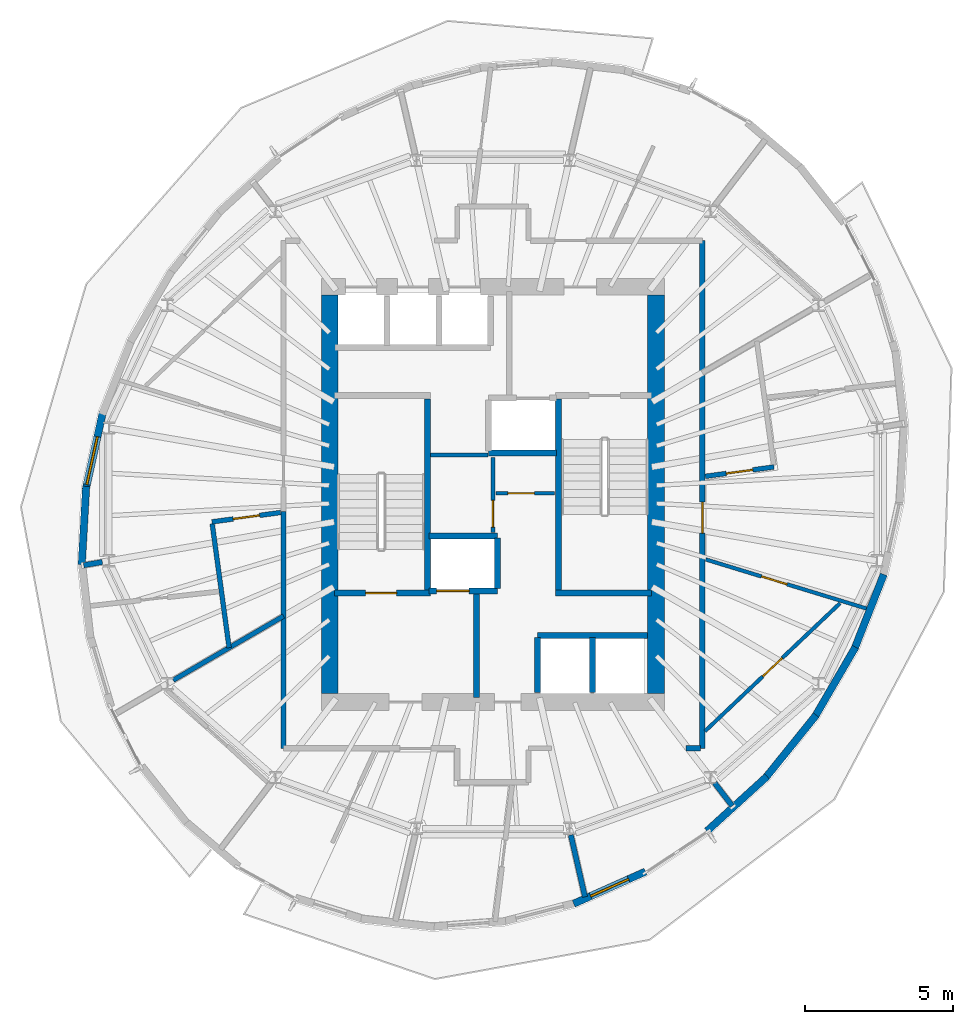
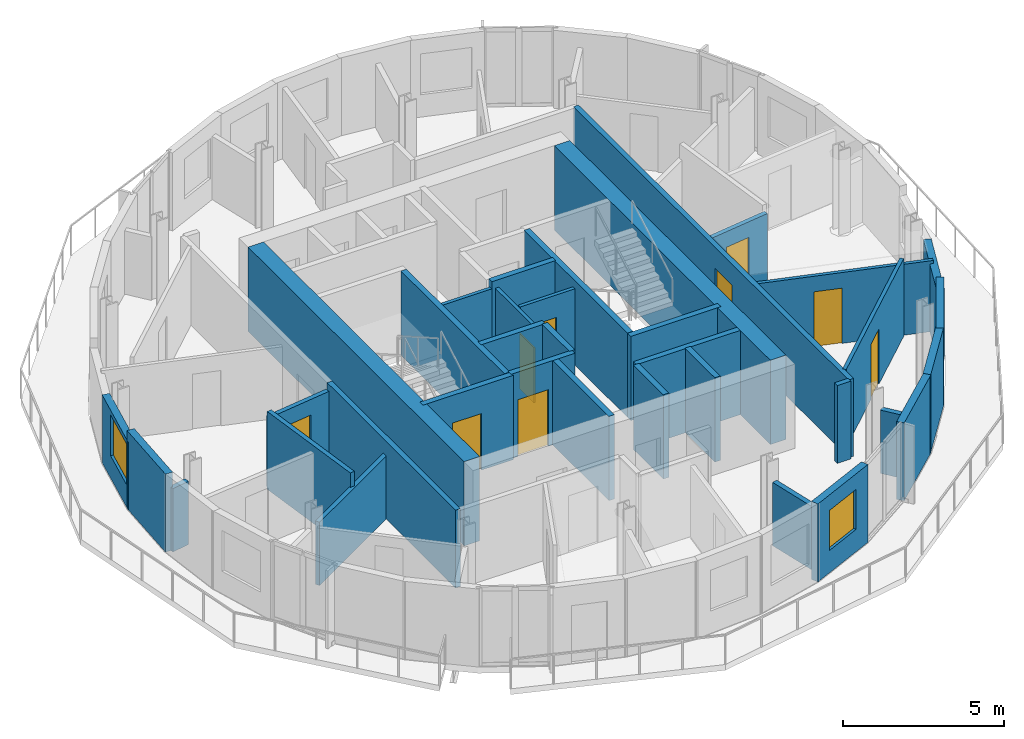
# One storey, part 5 of 11: 36 walls, 9 doors, 2 windows, 11 openings.
"""IFC4 building model written with IfcOpenShell, lengths in metres."""

from ifc_helpers import new_model, si_unit, direction, frame, frame_2d, origin, place, context, subcontext, project, spatial, rectangle, extrude, material, layer, layer_set, type_object, element, fill, save


model = new_model("IFC4")

# Units and contexts
model_context = context("Model", 3, precision=1e-05, world=origin(), true_north=direction((0.0, 1.0)))
body_context = subcontext(model_context, "Body", "Model", "MODEL_VIEW")
ifc_project = project(units=[si_unit("LENGTHUNIT", "METRE"), si_unit("AREAUNIT", "SQUARE_METRE"), si_unit("VOLUMEUNIT", "CUBIC_METRE"), si_unit("PLANEANGLEUNIT", "RADIAN"), si_unit("MASSUNIT", "GRAM", prefix="KILO")], contexts=[model_context])

# Site, building, storey
site_placement = place(None, origin())
site = spatial("IfcSite", under=ifc_project, at=site_placement, CompositionType="ELEMENT")
building_placement = place(site_placement, origin())
building = spatial("IfcBuilding", under=site, at=building_placement, Name="Veldorim Arch Residences", CompositionType="ELEMENT")
storey_placement = place(building_placement, frame((0.0, 0.0, 223.840087890625)))
storey = spatial("IfcBuildingStorey", under=building, at=storey_placement, Name="L67", CompositionType="ELEMENT", Elevation=223.840087890625)

# Wall, opening, door
ifc_material_1 = material(Name="Acoustic Gypsum Board", Category="gypsum")
ifc_layer_1 = layer(ifc_material_1, 0.125, Name="Acoustic Stud Room Partition Wall 125")
ifc_layer_set_1 = layer_set([ifc_layer_1], Name="Acoustic Gypsum Board")
wall_type_1 = type_object("IfcWallType", Name="Acoustic Stud Room Partition Wall 125", PredefinedType="PARTITIONING", material=ifc_layer_set_1)
wall_1_placement = place(storey_placement, frame((32.0, 22.719970703125, 0.0), z_axis=(0.0, 0.0, 1.0), x_axis=(0.0, 1.0, 0.0)))
wall_1 = element("IfcWall", 1, at=wall_1_placement, inside=storey, type_object=wall_type_1, Name="L67 interior wall WL-CA-L67-1", PredefinedType="PARTITIONING", context=body_context, shape_type="SweptSolid", body=[
    extrude(rectangle(XDim=2.52001953125, YDim=0.125, at=frame_2d((1.260009765625, 0.0))), origin(), (0.0, 0.0, 1.0), 2.954833984375),
])
opening_1_placement = place(wall_1_placement, frame((0.179931640625, 0.0, 0.0)))
opening_1 = element("IfcOpeningElement", 2, at=opening_1_placement, cuts=wall_1, Name="Opening DR-SVC", PredefinedType="OPENING", context=body_context, shape_type="SweptSolid", body=[
    extrude(rectangle(XDim=0.89990234375, YDim=2.10009765625, at=frame_2d((0.449951171875, 1.050048828125))), frame((0.0, 0.072509765625, 0.0), z_axis=(0.0, -1.0, 0.0), x_axis=(1.0, 0.0, 0.0)), (0.0, 0.0, 1.0), 0.14501953125),
])
ifc_material_2 = material(Name="Fire-Rated Steel", Category="steel")
door_type_1 = type_object("IfcDoorType", Name="Riser, Shelter & Plant Room Rated Steel Door 900x2100", OperationType="SINGLE_SWING_LEFT", PredefinedType="DOOR", material=ifc_material_2)
door_1_placement = place(opening_1_placement, origin())
door_1 = element("IfcDoor", 3, at=door_1_placement, inside=storey, type_object=door_type_1, Name="L67 interior door DR-L67-CA2", OperationType="SINGLE_SWING_RIGHT", OverallHeight=2.10009765625, OverallWidth=0.89990234375, PredefinedType="DOOR", context=body_context, shape_type="SweptSolid", body=[
    extrude(rectangle(XDim=0.89990234375, YDim=2.10009765625, at=frame_2d((0.449951171875, 1.050048828125))), frame((0.0, 0.02490234375, 0.0), z_axis=(0.0, -1.0, 0.0), x_axis=(1.0, 0.0, 0.0)), (0.0, 0.0, 1.0), 0.050048828125),
])
fill(opening_1, door_1)

wall_2_placement = place(storey_placement, frame((32.110107421875, 24.0400390625, 0.0), z_axis=(0.0, 0.0, 1.0), x_axis=(1.0, 0.0, 0.0)))
wall_2 = element("IfcWall", 4, at=wall_2_placement, inside=storey, type_object=wall_type_1, Name="L67 interior wall WL-CA-L67-3", PredefinedType="PARTITIONING", context=body_context, shape_type="SweptSolid", body=[
    extrude(rectangle(XDim=1.969970703125, YDim=0.125, at=frame_2d((0.98486328125, 0.0))), origin(), (0.0, 0.0, 1.0), 2.954833984375),
])
opening_2_placement = place(wall_2_placement, frame((0.389892578125, 0.0, 0.0)))
opening_2 = element("IfcOpeningElement", 5, at=opening_2_placement, cuts=wall_2, Name="Opening DR-INT", PredefinedType="OPENING", context=body_context, shape_type="SweptSolid", body=[
    extrude(rectangle(XDim=0.89990234375, YDim=2.10009765625, at=frame_2d((0.449951171875, 1.050048828125))), frame((0.0, 0.072509765625, 0.0), z_axis=(0.0, -1.0, 0.0), x_axis=(1.0, 0.0, 0.0)), (0.0, 0.0, 1.0), 0.14501953125),
])
ifc_material_3 = material(Name="Engineered Timber", Category="wood")
door_type_2 = type_object("IfcDoorType", Name="Apartment Internal Room Timber Door 900x2100", OperationType="SINGLE_SWING_LEFT", PredefinedType="DOOR", material=ifc_material_3)
door_2_placement = place(opening_2_placement, origin())
door_2 = element("IfcDoor", 6, at=door_2_placement, inside=storey, type_object=door_type_2, Name="L67 interior door DR-L67-CA1", OperationType="SINGLE_SWING_LEFT", OverallHeight=2.10009765625, OverallWidth=0.89990234375, PredefinedType="DOOR", context=body_context, shape_type="SweptSolid", body=[
    extrude(rectangle(XDim=0.89990234375, YDim=2.10009765625, at=frame_2d((0.449951171875, 1.050048828125))), frame((0.0, 0.02490234375, 0.0), z_axis=(0.0, -1.0, 0.0), x_axis=(1.0, 0.0, 0.0)), (0.0, 0.0, 1.0), 0.050048828125),
])
fill(opening_2, door_2)

# Wall
wall_3_placement = place(storey_placement, frame((29.889892578125, 25.330078125, 0.0), z_axis=(0.0, 0.0, 1.0), x_axis=(1.0, 0.0, 0.0)))
element("IfcWall", 7, at=wall_3_placement, inside=storey, type_object=wall_type_1, Name="L67 interior wall WL-CA-L67-N", PredefinedType="PARTITIONING", context=body_context, shape_type="SweptSolid", body=[
    extrude(rectangle(XDim=1.940185546875, YDim=0.125, at=frame_2d((0.97021484375, 0.0))), origin(), (0.0, 0.0, 1.0), 2.954833984375),
])

# Wall, opening, door
wall_4_placement = place(storey_placement, frame((44.7001953125, 20.120849609375, 0.0), z_axis=(0.0, 0.0, 1.0), x_axis=(-0.956379122361, 0.29212835246, 0.0)))
wall_4 = element("IfcWall", 8, at=wall_4_placement, inside=storey, type_object=wall_type_1, Name="L67 interior wall WL-RES-L67-021", PredefinedType="PARTITIONING", context=body_context, shape_type="SweptSolid", body=[
    extrude(rectangle(XDim=5.77734375, YDim=0.125, at=frame_2d((2.888671875, 0.0))), origin(), (0.0, 0.0, 1.0), 2.69189453125),
])
opening_3_placement = place(wall_4_placement, frame((2.91015625, 0.0, 0.0)))
opening_3 = element("IfcOpeningElement", 9, at=opening_3_placement, cuts=wall_4, Name="Opening DR-INT", PredefinedType="OPENING", context=body_context, shape_type="SweptSolid", body=[
    extrude(rectangle(XDim=0.89990234375, YDim=2.10009765625, at=frame_2d((0.449951171875, 1.050048828125))), frame((0.0, 0.072509765625, 0.0), z_axis=(0.0, -1.0, 0.0), x_axis=(1.0, 0.0, 0.0)), (0.0, 0.0, 1.0), 0.14501953125),
])
door_3_placement = place(opening_3_placement, origin())
door_3 = element("IfcDoor", 10, at=door_3_placement, inside=storey, type_object=door_type_2, Name="L67 interior door DR-RES-L67-007", OperationType="SINGLE_SWING_LEFT", OverallHeight=2.10009765625, OverallWidth=0.89990234375, PredefinedType="DOOR", context=body_context, shape_type="SweptSolid", body=[
    extrude(rectangle(XDim=0.89990234375, YDim=2.10009765625, at=frame_2d((0.449951171875, 1.050048828125))), frame((0.0, 0.02490234375, 0.0), z_axis=(0.0, -1.0, 0.0), x_axis=(1.0, 0.0, 0.0)), (0.0, 0.0, 1.0), 0.050048828125),
])
fill(opening_3, door_3)

wall_5_placement = place(storey_placement, frame((43.70654296875, 20.33349609375, 0.0), z_axis=(0.0, 0.0, 1.0), x_axis=(-0.725799476315, -0.687906330965, 0.0)))
wall_5 = element("IfcWall", 11, at=wall_5_placement, inside=storey, type_object=wall_type_1, Name="L67 interior wall WL-RES-L67-025", PredefinedType="PARTITIONING", context=body_context, shape_type="SweptSolid", body=[
    extrude(rectangle(XDim=6.28173828125, YDim=0.125, at=frame_2d((3.140869140625, 0.0))), origin(), (0.0, 0.0, 1.0), 2.954833984375),
])
opening_4_placement = place(wall_5_placement, frame((2.69091796875, 0.0, 0.0)))
opening_4 = element("IfcOpeningElement", 12, at=opening_4_placement, cuts=wall_5, Name="Opening DR-INT", PredefinedType="OPENING", context=body_context, shape_type="SweptSolid", body=[
    extrude(rectangle(XDim=0.89990234375, YDim=2.10009765625, at=frame_2d((0.449951171875, 1.050048828125))), frame((0.0, 0.072509765625, 0.0), z_axis=(0.0, -1.0, 0.0), x_axis=(1.0, 0.0, 0.0)), (0.0, 0.0, 1.0), 0.14501953125),
])
door_4_placement = place(opening_4_placement, origin())
door_4 = element("IfcDoor", 13, at=door_4_placement, inside=storey, type_object=door_type_2, Name="L67 interior door DR-RES-L67-008", OperationType="SINGLE_SWING_RIGHT", OverallHeight=2.10009765625, OverallWidth=0.89990234375, PredefinedType="DOOR", context=body_context, shape_type="SweptSolid", body=[
    extrude(rectangle(XDim=0.89990234375, YDim=2.10009765625, at=frame_2d((0.449951171875, 1.050048828125))), frame((0.0, 0.02490234375, 0.0), z_axis=(0.0, -1.0, 0.0), x_axis=(1.0, 0.0, 0.0)), (0.0, 0.0, 1.0), 0.050048828125),
])
fill(opening_4, door_4)

# Walls
ifc_material_4 = material(Name="Lightweight Masonry Block & Gypsum", Category="masonry")
ifc_layer_2 = layer(ifc_material_4, 0.179931640625, Name="Compartment & Corridor Fire-Rated Party Wall 180")
ifc_layer_set_2 = layer_set([ifc_layer_2], Name="Lightweight Masonry Block & Gypsum")
wall_type_2 = type_object("IfcWallType", Name="Compartment & Corridor Fire-Rated Party Wall 180", PredefinedType="PARTITIONING", material=ifc_layer_set_2)
wall_6_placement = place(storey_placement, frame((18.827392578125, 21.72119140625, 0.0), z_axis=(0.0, 0.0, 1.0), x_axis=(-0.985371537423, -0.170419873359, 0.0)))
element("IfcWall", 14, at=wall_6_placement, inside=storey, type_object=wall_type_2, Name="L67 interior wall WL-PIER-L67-09", PredefinedType="PARTITIONING", context=body_context, shape_type="SweptSolid", body=[
    extrude(rectangle(XDim=0.637451171875, YDim=0.179931640625, at=frame_2d((0.31884765625, 0.0))), origin(), (0.0, 0.0, 1.0), 2.4033203125),
])
wall_7_placement = place(storey_placement, frame((34.62646484375, 12.516845703125, 0.0), z_axis=(0.0, 0.0, 1.0), x_axis=(0.222945438732, -0.974830924493, 0.0)))
element("IfcWall", 15, at=wall_7_placement, inside=storey, type_object=wall_type_2, Name="L67 interior wall WL-PIER-L67-13", PredefinedType="PARTITIONING", context=body_context, shape_type="SweptSolid", body=[
    extrude(rectangle(XDim=2.14306640625, YDim=0.179931640625, at=frame_2d((1.071533203125, 0.0))), origin(), (0.0, 0.0, 1.0), 2.4033203125),
])
wall_8_placement = place(storey_placement, frame((39.473388671875, 14.272705078125, 0.0), z_axis=(0.0, 0.0, 1.0), x_axis=(0.60918017505, -0.793031849503, 0.0)))
element("IfcWall", 16, at=wall_8_placement, inside=storey, type_object=wall_type_2, Name="L67 interior wall WL-PIER-L67-14", PredefinedType="PARTITIONING", context=body_context, shape_type="SweptSolid", body=[
    extrude(rectangle(XDim=0.978759765625, YDim=0.179931640625, at=frame_2d((0.4892578125, 0.0))), origin(), (0.0, 0.0, 1.0), 2.4033203125),
])
wall_9_placement = place(storey_placement, frame((24.93994140625, 15.43994140625, 0.0), z_axis=(0.0, 0.0, 1.0), x_axis=(0.0, 1.0, 0.0)))
element("IfcWall", 17, at=wall_9_placement, inside=storey, type_object=wall_type_2, Name="L67 interior wall WL-RES-L67-006", PredefinedType="PARTITIONING", context=body_context, shape_type="SweptSolid", body=[
    extrude(rectangle(XDim=7.981689453125, YDim=0.179931640625, at=frame_2d((3.99072265625, 0.0))), origin(), (0.0, 0.0, 1.0), 2.954833984375),
])

# Wall, opening, door
wall_10_placement = place(storey_placement, frame((39.06005859375, 32.56005859375, 0.0), z_axis=(0.0, 0.0, 1.0), x_axis=(0.0, -1.0, 0.0)))
wall_10 = element("IfcWall", 18, at=wall_10_placement, inside=storey, type_object=wall_type_2, Name="L67 interior wall WL-RES-L67-007", PredefinedType="PARTITIONING", context=body_context, shape_type="SweptSolid", body=[
    extrude(rectangle(XDim=17.1201171875, YDim=0.179931640625, at=frame_2d((8.56005859375, 0.0))), origin(), (0.0, 0.0, 1.0), 2.954833984375),
])
opening_5_placement = place(wall_10_placement, frame((8.8154296875, 0.0, 0.0)))
opening_5 = element("IfcOpeningElement", 19, at=opening_5_placement, cuts=wall_10, Name="Opening DR-FLT", PredefinedType="OPENING", context=body_context, shape_type="SweptSolid", body=[
    extrude(rectangle(XDim=1.050048828125, YDim=2.14990234375, at=frame_2d((0.52490234375, 1.074951171875))), frame((0.0, 0.099853515625, 0.0), z_axis=(0.0, -1.0, 0.0), x_axis=(1.0, 0.0, 0.0)), (0.0, 0.0, 1.0), 0.199951171875),
])
ifc_material_5 = material(Name="Fire-Rated Timber", Category="wood")
door_type_3 = type_object("IfcDoorType", Name="Apartment Entrance Solid-Core Fire Door 1050x2150", OperationType="SINGLE_SWING_LEFT", PredefinedType="DOOR", material=ifc_material_5)
door_5_placement = place(opening_5_placement, origin())
door_5 = element("IfcDoor", 20, at=door_5_placement, inside=storey, type_object=door_type_3, Name="L67 interior door DR-RES-L67-005", OperationType="SINGLE_SWING_LEFT", OverallHeight=2.14990234375, OverallWidth=1.050048828125, PredefinedType="DOOR", context=body_context, shape_type="SweptSolid", body=[
    extrude(rectangle(XDim=1.050048828125, YDim=2.14990234375, at=frame_2d((0.52490234375, 1.074951171875))), frame((0.0, 0.02490234375, 0.0), z_axis=(0.0, -1.0, 0.0), x_axis=(1.0, 0.0, 0.0)), (0.0, 0.0, 1.0), 0.050048828125),
])
fill(opening_5, door_5)

# Walls
wall_11_placement = place(storey_placement, frame((39.0, 15.43994140625, 0.0), z_axis=(0.0, 0.0, 1.0), x_axis=(-1.0, 0.0, 0.0)))
element("IfcWall", 21, at=wall_11_placement, inside=storey, type_object=wall_type_2, Name="L67 interior wall WL-RES-L67-008", PredefinedType="PARTITIONING", context=body_context, shape_type="SweptSolid", body=[
    extrude(rectangle(XDim=0.485595703125, YDim=0.179931640625, at=frame_2d((0.24267578125, 0.0))), origin(), (0.0, 0.0, 1.0), 2.954833984375),
])
ifc_material_6 = material(Name="Concrete C50/60", Category="concrete")
ifc_layer_3 = layer(ifc_material_6, 0.199951171875, Name="Core Stair & Lift Shaft Enclosure Wall 200")
ifc_layer_set_3 = layer_set([ifc_layer_3], Name="Concrete C50/60")
wall_type_3 = type_object("IfcWallType", Name="Core Stair & Lift Shaft Enclosure Wall 200", PredefinedType="SHEAR", material=ifc_layer_set_3)
wall_12_placement = place(storey_placement, frame((29.7900390625, 20.780029296875, 0.0), z_axis=(0.0, 0.0, 1.0), x_axis=(0.0, 1.0, 0.0)))
element("IfcWall", 22, at=wall_12_placement, inside=storey, type_object=wall_type_3, Name="L67 shaft wall WL-SHF-L67-ST1-E", PredefinedType="SHEAR", context=body_context, shape_type="SweptSolid", body=[
    extrude(rectangle(XDim=6.43994140625, YDim=0.199951171875, at=frame_2d((3.219970703125, 0.0))), origin(), (0.0, 0.0, 1.0), 3.199951171875),
])

# Wall, opening, door
wall_13_placement = place(storey_placement, frame((26.64990234375, 20.669921875, 0.0), z_axis=(0.0, 0.0, 1.0), x_axis=(1.0, 0.0, 0.0)))
wall_13 = element("IfcWall", 23, at=wall_13_placement, inside=storey, type_object=wall_type_3, Name="L67 shaft wall WL-SHF-L67-ST1-S", PredefinedType="SHEAR", context=body_context, shape_type="SweptSolid", body=[
    extrude(rectangle(XDim=3.239990234375, YDim=0.199951171875, at=frame_2d((1.6201171875, 0.0))), origin(), (0.0, 0.0, 1.0), 3.199951171875),
])
opening_6_placement = place(wall_13_placement, frame((1.054931640625, 0.0, 0.0)))
opening_6 = element("IfcOpeningElement", 24, at=opening_6_placement, cuts=wall_13, Name="Opening DR-ST", PredefinedType="OPENING", context=body_context, shape_type="SweptSolid", body=[
    extrude(rectangle(XDim=1.050048828125, YDim=2.14990234375, at=frame_2d((0.52490234375, 1.074951171875))), frame((0.0, 0.10986328125, 0.0), z_axis=(0.0, -1.0, 0.0), x_axis=(1.0, 0.0, 0.0)), (0.0, 0.0, 1.0), 0.219970703125),
])
ifc_material_7 = material(Name="Fire-Rated Steel", Category="steel")
door_type_4 = type_object("IfcDoorType", Name="Exit Staircase Self-Closing Fire Door 1050x2150", OperationType="SINGLE_SWING_LEFT", PredefinedType="DOOR", material=ifc_material_7)
door_6_placement = place(opening_6_placement, origin())
door_6 = element("IfcDoor", 25, at=door_6_placement, inside=storey, type_object=door_type_4, Name="L67 interior door DR-L67-ST1", OperationType="SINGLE_SWING_LEFT", OverallHeight=2.14990234375, OverallWidth=1.050048828125, PredefinedType="DOOR", context=body_context, shape_type="SweptSolid", body=[
    extrude(rectangle(XDim=1.050048828125, YDim=2.14990234375, at=frame_2d((0.52490234375, 1.074951171875))), frame((0.0, 0.02490234375, 0.0), z_axis=(0.0, -1.0, 0.0), x_axis=(1.0, 0.0, 0.0)), (0.0, 0.0, 1.0), 0.050048828125),
])
fill(opening_6, door_6)

# Walls
wall_14_placement = place(storey_placement, frame((34.2099609375, 20.780029296875, 0.0), z_axis=(0.0, 0.0, 1.0), x_axis=(0.0, 1.0, 0.0)))
element("IfcWall", 26, at=wall_14_placement, inside=storey, type_object=wall_type_3, Name="L67 shaft wall WL-SHF-L67-ST2-W", PredefinedType="SHEAR", context=body_context, shape_type="SweptSolid", body=[
    extrude(rectangle(XDim=6.43994140625, YDim=0.199951171875, at=frame_2d((3.219970703125, 0.0))), origin(), (0.0, 0.0, 1.0), 3.199951171875),
])
wall_15_placement = place(storey_placement, frame((34.110107421875, 20.669921875, 0.0), z_axis=(0.0, 0.0, 1.0), x_axis=(1.0, 0.0, 0.0)))
element("IfcWall", 27, at=wall_15_placement, inside=storey, type_object=wall_type_3, Name="L67 shaft wall WL-SHF-L67-ST2-S", PredefinedType="SHEAR", context=body_context, shape_type="SweptSolid", body=[
    extrude(rectangle(XDim=3.239990234375, YDim=0.199951171875, at=frame_2d((1.6201171875, 0.0))), origin(), (0.0, 0.0, 1.0), 3.199951171875),
])
wall_16_placement = place(storey_placement, frame((31.449951171875, 17.14990234375, 0.0), z_axis=(0.0, 0.0, 1.0), x_axis=(0.0, 1.0, 0.0)))
element("IfcWall", 28, at=wall_16_placement, inside=storey, type_object=wall_type_3, Name="L67 shaft wall WL-FFL1-L67-E", PredefinedType="SHEAR", context=body_context, shape_type="SweptSolid", body=[
    extrude(rectangle(XDim=3.5, YDim=0.199951171875, at=frame_2d((1.75, 0.0))), origin(), (0.0, 0.0, 1.0), 3.199951171875),
])

# Wall, opening, door
wall_17_placement = place(storey_placement, frame((29.85009765625, 20.75, 0.0), z_axis=(0.0, 0.0, 1.0), x_axis=(1.0, 0.0, 0.0)))
wall_17 = element("IfcWall", 29, at=wall_17_placement, inside=storey, type_object=wall_type_3, Name="L67 shaft wall WL-FL01-L67-S", PredefinedType="SHEAR", context=body_context, shape_type="SweptSolid", body=[
    extrude(rectangle(XDim=2.2998046875, YDim=0.199951171875, at=frame_2d((1.14990234375, 0.0))), origin(), (0.0, 0.0, 1.0), 3.199951171875),
])
opening_7_placement = place(wall_17_placement, frame((0.25, 0.0, 0.0)))
opening_7 = element("IfcOpeningElement", 30, at=opening_7_placement, cuts=wall_17, Name="Opening LD-FF", PredefinedType="OPENING", context=body_context, shape_type="SweptSolid", body=[
    extrude(rectangle(XDim=1.10009765625, YDim=2.14990234375, at=frame_2d((0.550048828125, 1.074951171875))), frame((0.0, 0.10986328125, 0.0), z_axis=(0.0, -1.0, 0.0), x_axis=(1.0, 0.0, 0.0)), (0.0, 0.0, 1.0), 0.219970703125),
])
ifc_material_8 = material(Name="Stainless Steel", Category="steel")
door_type_5 = type_object("IfcDoorType", Name="Firefighting Lift Bi-Parting Sliding Landing Door 1100x2150", OperationType="DOUBLE_DOOR_SLIDING", PredefinedType="DOOR", material=ifc_material_8)
door_7_placement = place(opening_7_placement, origin())
door_7 = element("IfcDoor", 31, at=door_7_placement, inside=storey, type_object=door_type_5, Name="L67 lift landing door LD-L67-FL01", OperationType="DOUBLE_DOOR_SLIDING", OverallHeight=2.14990234375, OverallWidth=1.10009765625, PredefinedType="DOOR", context=body_context, shape_type="SweptSolid", body=[
    extrude(rectangle(XDim=1.10009765625, YDim=2.14990234375, at=frame_2d((0.550048828125, 1.074951171875))), frame((0.0, 0.02490234375, 0.0), z_axis=(0.0, -1.0, 0.0), x_axis=(1.0, 0.0, 0.0)), (0.0, 0.0, 1.0), 0.050048828125),
])
fill(opening_7, door_7)

# Walls
wall_18_placement = place(storey_placement, frame((29.85009765625, 22.60009765625, 0.0), z_axis=(0.0, 0.0, 1.0), x_axis=(1.0, 0.0, 0.0)))
element("IfcWall", 32, at=wall_18_placement, inside=storey, type_object=wall_type_3, Name="L67 shaft wall WL-FL01-L67-N", PredefinedType="SHEAR", context=body_context, shape_type="SweptSolid", body=[
    extrude(rectangle(XDim=2.2998046875, YDim=0.199951171875, at=frame_2d((1.14990234375, 0.0))), origin(), (0.0, 0.0, 1.0), 3.199951171875),
])
wall_19_placement = place(storey_placement, frame((32.14990234375, 20.820068359375, 0.0), z_axis=(0.0, 0.0, 1.0), x_axis=(0.0, 1.0, 0.0)))
element("IfcWall", 33, at=wall_19_placement, inside=storey, type_object=wall_type_3, Name="L67 shaft wall WL-FL01-L67-E", PredefinedType="SHEAR", context=body_context, shape_type="SweptSolid", body=[
    extrude(rectangle(XDim=1.7099609375, YDim=0.199951171875, at=frame_2d((0.85498046875, 0.0))), origin(), (0.0, 0.0, 1.0), 3.199951171875),
])
wall_20_placement = place(storey_placement, frame((31.85009765625, 25.39990234375, 0.0), z_axis=(0.0, 0.0, 1.0), x_axis=(1.0, 0.0, 0.0)))
element("IfcWall", 34, at=wall_20_placement, inside=storey, type_object=wall_type_3, Name="L67 shaft wall WL-FL02-L67-S", PredefinedType="SHEAR", context=body_context, shape_type="SweptSolid", body=[
    extrude(rectangle(XDim=2.2998046875, YDim=0.199951171875, at=frame_2d((1.14990234375, 0.0))), origin(), (0.0, 0.0, 1.0), 3.199951171875),
])
wall_21_placement = place(storey_placement, frame((33.5, 19.25, 0.0), z_axis=(0.0, 0.0, 1.0), x_axis=(1.0, 0.0, 0.0)))
element("IfcWall", 35, at=wall_21_placement, inside=storey, type_object=wall_type_3, Name="L67 shaft wall WL-OL-L67-N", PredefinedType="SHEAR", context=body_context, shape_type="SweptSolid", body=[
    extrude(rectangle(XDim=3.719970703125, YDim=0.199951171875, at=frame_2d((1.85986328125, 0.0))), origin(), (0.0, 0.0, 1.0), 3.199951171875),
])
for number, where, z_axis, x_axis, name in (
    (36, (33.5, 17.320068359375, 0.0), (0.0, 0.0, 1.0), (0.0, 1.0, 0.0), "L67 shaft wall WL-OL-L67-W"),
    (37, (35.35009765625, 17.320068359375, 0.0), (0.0, 0.0, 1.0), (0.0, 1.0, 0.0), "L67 shaft wall WL-OL-L67-D1"),
):
    element("IfcWall", number, at=place(storey_placement, frame(where, z_axis=z_axis, x_axis=x_axis)), inside=storey, type_object=wall_type_3, Name=name, PredefinedType="SHEAR", context=body_context, shape_type="SweptSolid", body=[
        extrude(rectangle(XDim=1.85986328125, YDim=0.199951171875, at=frame_2d((0.929931640625, 0.0))), origin(), (0.0, 0.0, 1.0), 3.199951171875),
    ])

# Wall, opening, window
ifc_material_9 = material(Name="Precast concrete C40/50", Category="concrete")
ifc_layer_4 = layer(ifc_material_9, 0.25, Name="Tower Terracotta Spandrel & Pier Wall 250")
ifc_layer_set_4 = layer_set([ifc_layer_4], Name="Precast concrete C40/50")
wall_type_4 = type_object("IfcWallType", Name="Tower Terracotta Spandrel & Pier Wall 250", PredefinedType="SOLIDWALL", material=ifc_layer_set_4)
wall_22_placement = place(storey_placement, frame((18.26708984375, 24.164306640625, 0.0), z_axis=(0.0, 0.0, 1.0), x_axis=(0.21633718885, 0.976318708579, 0.0)))
wall_22 = element("IfcWall", 38, at=wall_22_placement, inside=storey, type_object=wall_type_4, Name="L67 terracotta facade wall 12", PredefinedType="SOLIDWALL", context=body_context, shape_type="SweptSolid", body=[
    extrude(rectangle(XDim=2.70166015625, YDim=0.25, at=frame_2d((1.350830078125, 0.0))), origin(), (0.0, 0.0, 1.0), 2.576904296875),
])
opening_8_placement = place(wall_22_placement, frame((0.175048828125, 0.0, 0.85009765625)))
opening_8 = element("IfcOpeningElement", 39, at=opening_8_placement, cuts=wall_22, Name="Opening WN-03", PredefinedType="OPENING", context=body_context, shape_type="SweptSolid", body=[
    extrude(rectangle(XDim=1.64990234375, YDim=1.550048828125, at=frame_2d((0.824951171875, 0.77490234375))), frame((0.0, 0.135009765625, 0.0), z_axis=(0.0, -1.0, 0.0), x_axis=(1.0, 0.0, 0.0)), (0.0, 0.0, 1.0), 0.27001953125),
])
ifc_material_10 = material(Name="Laminated Low-E Glass", Category="glass")
window_type_1 = type_object("IfcWindowType", Name="Residential Wide Window 1650x1550", PartitioningType="SINGLE_PANEL", PredefinedType="WINDOW", material=ifc_material_10)
window_1_placement = place(opening_8_placement, origin())
window_1 = element("IfcWindow", 40, at=window_1_placement, inside=storey, type_object=window_type_1, Name="L67 solar-control facade window 12", OverallHeight=1.550048828125, OverallWidth=1.64990234375, PartitioningType="SINGLE_PANEL", PredefinedType="WINDOW", context=body_context, shape_type="SweptSolid", body=[
    extrude(rectangle(XDim=1.64990234375, YDim=1.550048828125, at=frame_2d((0.824951171875, 0.77490234375))), frame((0.0, 0.030029296875, 0.0), z_axis=(0.0, -1.0, 0.0), x_axis=(1.0, 0.0, 0.0)), (0.0, 0.0, 1.0), 0.06005859375),
])
fill(opening_8, window_1)

# Wall
wall_23_placement = place(storey_placement, frame((18.133056640625, 21.62646484375, 0.0), z_axis=(0.0, 0.0, 1.0), x_axis=(0.056270814174, 0.998415542483, 0.0)))
element("IfcWall", 41, at=wall_23_placement, inside=storey, type_object=wall_type_4, Name="L67 terracotta facade wall 13", PredefinedType="SOLIDWALL", context=body_context, shape_type="SweptSolid", body=[
    extrude(rectangle(XDim=2.65087890625, YDim=0.25, at=frame_2d((1.325439453125, 0.0))), origin(), (0.0, 0.0, 1.0), 2.9599609375),
])

# Wall, opening, window
wall_24_placement = place(storey_placement, frame((37.14453125, 11.280517578125, 0.0), z_axis=(0.0, 0.0, 1.0), x_axis=(-0.912779399898, -0.408452894617, 0.0)))
wall_24 = element("IfcWall", 42, at=wall_24_placement, inside=storey, type_object=wall_type_4, Name="L67 terracotta facade wall 24", PredefinedType="SOLIDWALL", context=body_context, shape_type="SweptSolid", body=[
    extrude(rectangle(XDim=2.65087890625, YDim=0.25, at=frame_2d((1.325439453125, 0.0))), origin(), (0.0, 0.0, 1.0), 2.9599609375),
])
opening_9_placement = place(wall_24_placement, frame((0.625, 0.0, 0.85009765625)))
opening_9 = element("IfcOpeningElement", 43, at=opening_9_placement, cuts=wall_24, Name="Opening WN-02", PredefinedType="OPENING", context=body_context, shape_type="SweptSolid", body=[
    extrude(rectangle(XDim=1.39990234375, YDim=1.52001953125, at=frame_2d((0.699951171875, 0.760009765625))), frame((0.0, 0.135009765625, 0.0), z_axis=(0.0, -1.0, 0.0), x_axis=(1.0, 0.0, 0.0)), (0.0, 0.0, 1.0), 0.27001953125),
])
ifc_material_11 = material(Name="Laminated Low-E Glass", Category="glass")
window_type_2 = type_object("IfcWindowType", Name="Residential Casement Window 1400x1550", PartitioningType="SINGLE_PANEL", PredefinedType="WINDOW", material=ifc_material_11)
window_2_placement = place(opening_9_placement, origin())
window_2 = element("IfcWindow", 44, at=window_2_placement, inside=storey, type_object=window_type_2, Name="L67 solar-control facade window 24", OverallHeight=1.52001953125, OverallWidth=1.39990234375, PartitioningType="SINGLE_PANEL", PredefinedType="WINDOW", context=body_context, shape_type="SweptSolid", body=[
    extrude(rectangle(XDim=1.39990234375, YDim=1.52001953125, at=frame_2d((0.699951171875, 0.760009765625))), frame((0.0, 0.030029296875, 0.0), z_axis=(0.0, -1.0, 0.0), x_axis=(1.0, 0.0, 0.0)), (0.0, 0.0, 1.0), 0.06005859375),
])
fill(opening_9, window_2)

# Walls
wall_25_placement = place(storey_placement, frame((41.242919921875, 14.490478515625, 0.0), z_axis=(0.0, 0.0, 1.0), x_axis=(-0.739366950434, -0.673302690182, 0.0)))
element("IfcWall", 45, at=wall_25_placement, inside=storey, type_object=wall_type_4, Name="L67 terracotta facade wall 26", PredefinedType="SOLIDWALL", context=body_context, shape_type="SweptSolid", body=[
    extrude(rectangle(XDim=2.73828125, YDim=0.25, at=frame_2d((1.369140625, 0.0))), origin(), (0.0, 0.0, 1.0), 2.9599609375),
])
wall_26_placement = place(storey_placement, frame((42.900390625, 16.5576171875, 0.0), z_axis=(0.0, 0.0, 1.0), x_axis=(-0.628046541479, -0.778175778174, 0.0)))
element("IfcWall", 46, at=wall_26_placement, inside=storey, type_object=wall_type_4, Name="L67 terracotta facade wall 27", PredefinedType="SOLIDWALL", context=body_context, shape_type="SweptSolid", body=[
    extrude(rectangle(XDim=2.758056640625, YDim=0.25, at=frame_2d((1.37890625, 0.0))), origin(), (0.0, 0.0, 1.0), 2.9599609375),
])
wall_27_placement = place(storey_placement, frame((44.2265625, 18.851318359375, 0.0), z_axis=(0.0, 0.0, 1.0), x_axis=(-0.503177339128, -0.864183178144, 0.0)))
element("IfcWall", 47, at=wall_27_placement, inside=storey, type_object=wall_type_4, Name="L67 terracotta facade wall 28", PredefinedType="SOLIDWALL", context=body_context, shape_type="SweptSolid", body=[
    extrude(rectangle(XDim=2.7578125, YDim=0.25, at=frame_2d((1.37890625, 0.0))), origin(), (0.0, 0.0, 1.0), 2.9599609375),
])
wall_28_placement = place(storey_placement, frame((45.180419921875, 21.302490234375, 0.0), z_axis=(0.0, 0.0, 1.0), x_axis=(-0.365588934877, -0.930776412838, 0.0)))
element("IfcWall", 48, at=wall_28_placement, inside=storey, type_object=wall_type_4, Name="L67 terracotta facade wall 29", PredefinedType="SOLIDWALL", context=body_context, shape_type="SweptSolid", body=[
    extrude(rectangle(XDim=2.73876953125, YDim=0.25, at=frame_2d((1.369384765625, 0.0))), origin(), (0.0, 0.0, 1.0), 2.576904296875),
])
ifc_material_12 = material(Name="Concrete C50/60", Category="concrete")
ifc_layer_5 = layer(ifc_material_12, 0.5, Name="Upper Central Core Shear Wall 560")
ifc_layer_set_5 = layer_set([ifc_layer_5], Name="Concrete C50/60")
wall_type_5 = type_object("IfcWallType", Name="Upper Central Core Shear Wall 560", PredefinedType="SHEAR", material=ifc_layer_set_5)
for number, where, z_axis, x_axis, name in (
    (49, (26.5, 17.280029296875, 0.0), (0.0, 0.0, 1.0), (0.0, 1.0, 0.0), "L67 central core west shear wall"),
    (50, (37.5, 17.280029296875, 0.0), (0.0, 0.0, 1.0), (0.0, 1.0, 0.0), "L67 central core east shear wall"),
):
    element("IfcWall", number, at=place(storey_placement, frame(where, z_axis=z_axis, x_axis=x_axis)), inside=storey, type_object=wall_type_5, Name=name, PredefinedType="SHEAR", context=body_context, shape_type="SweptSolid", body=[
        extrude(rectangle(XDim=13.43994140625, YDim=0.56005859375, at=frame_2d((6.719970703125, 0.0))), origin(), (0.0, 0.0, 1.0), 3.199951171875),
    ])
ifc_material_13 = material(Name="Moisture-Resistant Gypsum & Stud", Category="gypsum")
ifc_layer_6 = layer(ifc_material_13, 0.159912109375, Name="Wet-Area Moisture-Resistant Plumbing Wall 160")
ifc_layer_set_6 = layer_set([ifc_layer_6], Name="Moisture-Resistant Gypsum & Stud")
wall_type_6 = type_object("IfcWallType", Name="Wet-Area Moisture-Resistant Plumbing Wall 160", PredefinedType="PLUMBINGWALL", material=ifc_layer_set_6)
wall_29_placement = place(storey_placement, frame((21.217529296875, 17.734375, 0.0), z_axis=(0.0, 0.0, 1.0), x_axis=(0.864618907014, 0.502428249239, 0.0)))
element("IfcWall", 51, at=wall_29_placement, inside=storey, type_object=wall_type_6, Name="L67 interior wall WL-RES-L67-019", PredefinedType="PLUMBINGWALL", context=body_context, shape_type="SweptSolid", body=[
    extrude(rectangle(XDim=4.30517578125, YDim=0.159912109375, at=frame_2d((2.152587890625, 0.0))), origin(), (0.0, 0.0, 1.0), 2.4033203125),
])

# Wall, opening, door
wall_30_placement = place(storey_placement, frame((39.1591796875, 24.60986328125, 0.0), z_axis=(0.0, 0.0, 1.0), x_axis=(0.990823810893, 0.135159815654, 0.0)))
wall_30 = element("IfcWall", 52, at=wall_30_placement, inside=storey, type_object=wall_type_6, Name="L67 interior wall WL-RES-L67-022", PredefinedType="PLUMBINGWALL", context=body_context, shape_type="SweptSolid", body=[
    extrude(rectangle(XDim=2.33740234375, YDim=0.159912109375, at=frame_2d((1.168701171875, 0.0))), origin(), (0.0, 0.0, 1.0), 2.69189453125),
])
opening_10_placement = place(wall_30_placement, frame((0.71875, 0.0, 0.0)))
opening_10 = element("IfcOpeningElement", 53, at=opening_10_placement, cuts=wall_30, Name="Opening DR-INT", PredefinedType="OPENING", context=body_context, shape_type="SweptSolid", body=[
    extrude(rectangle(XDim=0.89990234375, YDim=2.10009765625, at=frame_2d((0.449951171875, 1.050048828125))), frame((0.0, 0.08984375, 0.0), z_axis=(0.0, -1.0, 0.0), x_axis=(1.0, 0.0, 0.0)), (0.0, 0.0, 1.0), 0.179931640625),
])
door_8_placement = place(opening_10_placement, origin())
door_8 = element("IfcDoor", 54, at=door_8_placement, inside=storey, type_object=door_type_2, Name="L67 interior door DR-RES-L67-009", OperationType="SINGLE_SWING_LEFT", OverallHeight=2.10009765625, OverallWidth=0.89990234375, PredefinedType="DOOR", context=body_context, shape_type="SweptSolid", body=[
    extrude(rectangle(XDim=0.89990234375, YDim=2.10009765625, at=frame_2d((0.449951171875, 1.050048828125))), frame((0.0, 0.02490234375, 0.0), z_axis=(0.0, -1.0, 0.0), x_axis=(1.0, 0.0, 0.0)), (0.0, 0.0, 1.0), 0.050048828125),
])
fill(opening_10, door_8)

wall_31_placement = place(storey_placement, frame((24.8408203125, 23.39013671875, 0.0), z_axis=(0.0, 0.0, 1.0), x_axis=(-0.990823810893, -0.135159815654, 0.0)))
wall_31 = element("IfcWall", 55, at=wall_31_placement, inside=storey, type_object=wall_type_6, Name="L67 interior wall WL-RES-L67-031", PredefinedType="PLUMBINGWALL", context=body_context, shape_type="SweptSolid", body=[
    extrude(rectangle(XDim=2.33740234375, YDim=0.159912109375, at=frame_2d((1.168701171875, 0.0))), origin(), (0.0, 0.0, 1.0), 2.69189453125),
])
opening_11_placement = place(wall_31_placement, frame((0.71875, 0.0, 0.0)))
opening_11 = element("IfcOpeningElement", 56, at=opening_11_placement, cuts=wall_31, Name="Opening DR-INT", PredefinedType="OPENING", context=body_context, shape_type="SweptSolid", body=[
    extrude(rectangle(XDim=0.89990234375, YDim=2.10009765625, at=frame_2d((0.449951171875, 1.050048828125))), frame((0.0, 0.08984375, 0.0), z_axis=(0.0, -1.0, 0.0), x_axis=(1.0, 0.0, 0.0)), (0.0, 0.0, 1.0), 0.179931640625),
])
door_9_placement = place(opening_11_placement, origin())
door_9 = element("IfcDoor", 57, at=door_9_placement, inside=storey, type_object=door_type_2, Name="L67 interior door DR-RES-L67-018", OperationType="SINGLE_SWING_RIGHT", OverallHeight=2.10009765625, OverallWidth=0.89990234375, PredefinedType="DOOR", context=body_context, shape_type="SweptSolid", body=[
    extrude(rectangle(XDim=0.89990234375, YDim=2.10009765625, at=frame_2d((0.449951171875, 1.050048828125))), frame((0.0, 0.02490234375, 0.0), z_axis=(0.0, -1.0, 0.0), x_axis=(1.0, 0.0, 0.0)), (0.0, 0.0, 1.0), 0.050048828125),
])
fill(opening_11, door_9)

# Wall
wall_32_placement = place(storey_placement, frame((22.532958984375, 23.0146484375, 0.0), z_axis=(0.0, 0.0, 1.0), x_axis=(0.135218975067, -0.990815739066, 0.0)))
element("IfcWall", 58, at=wall_32_placement, inside=storey, type_object=wall_type_6, Name="L67 interior wall WL-RES-L67-032", PredefinedType="PLUMBINGWALL", context=body_context, shape_type="SweptSolid", body=[
    extrude(rectangle(XDim=4.22314453125, YDim=0.159912109375, at=frame_2d((2.111572265625, 0.0))), origin(), (0.0, 0.0, 1.0), 2.954833984375),
])

save(model, "model.ifc")
